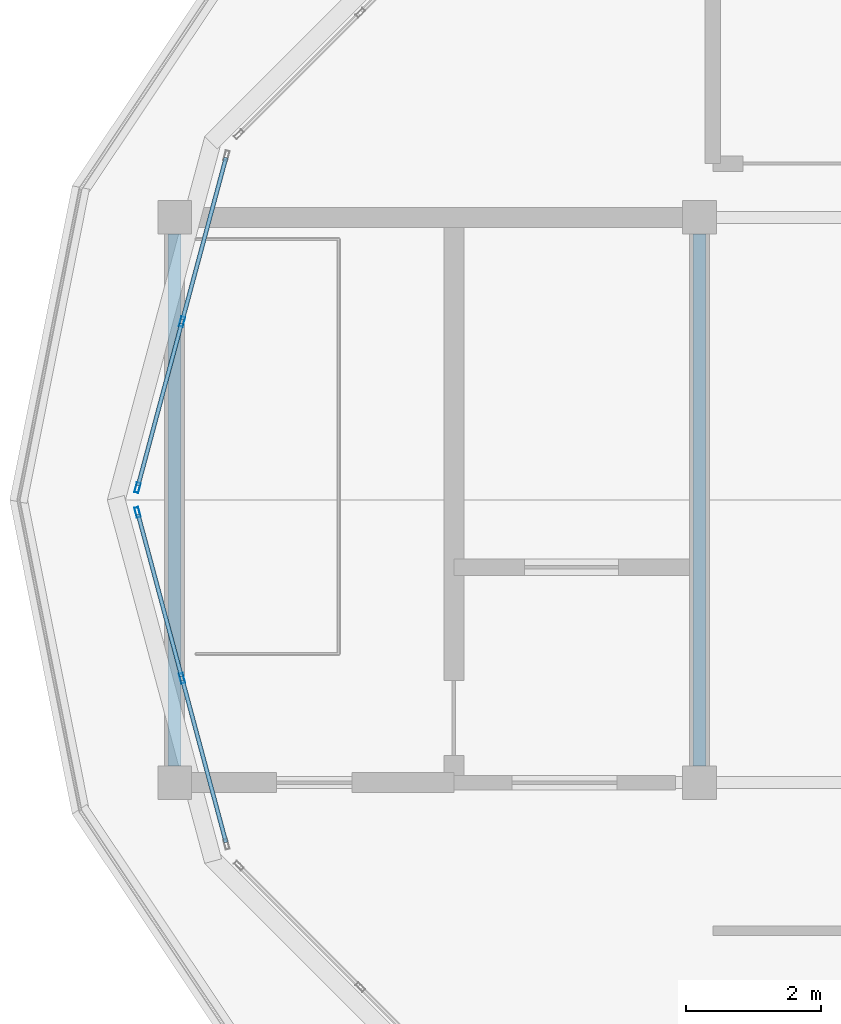
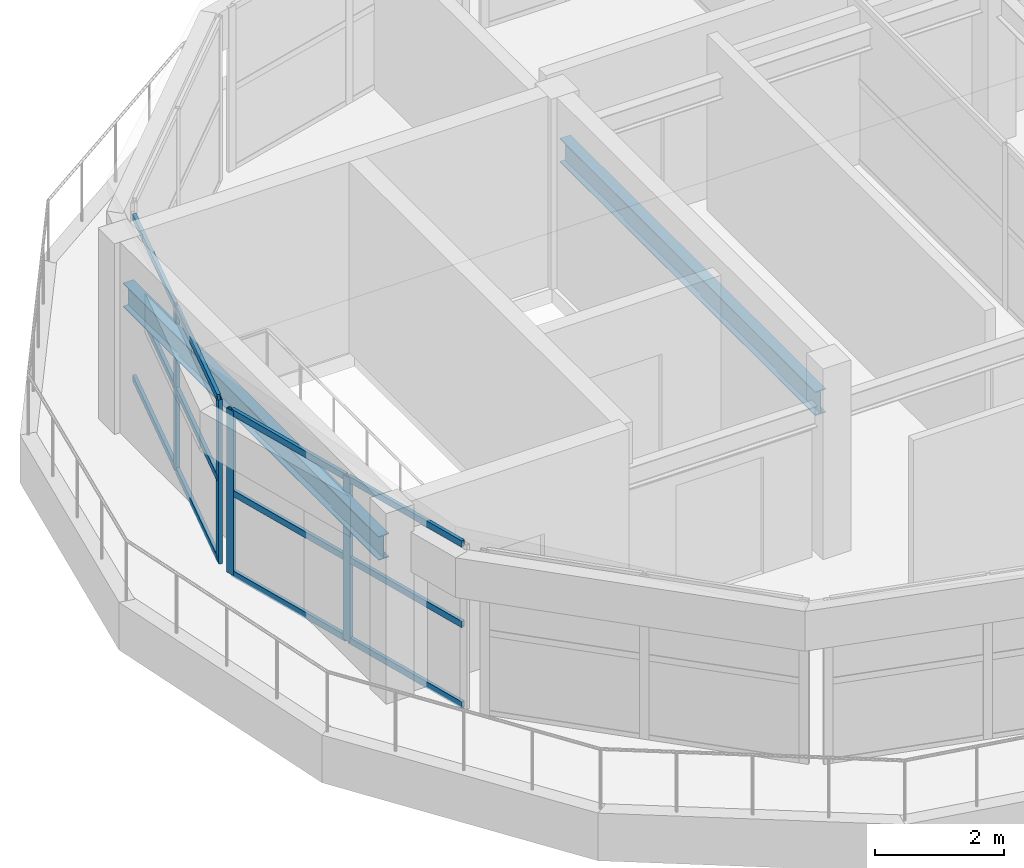
# One storey, part 4 of 15: 16 members, 2 beams, 2 elements without a shape of their own.
"""IFC4 building model written with IfcOpenShell, lengths in metres."""

from ifc_helpers import new_model, si_unit, direction, frame, origin, origin_2d, place, context, subcontext, project, spatial, hollow_rectangle, i_section, extrude, material, layer, layer_set, material_profile, profile_set, type_object, element, aggregate, save


model = new_model("IFC4")

# Units and contexts
model_context = context("Model", 3, precision=1e-05, world=origin(), true_north=direction((0.0, 1.0)))
body_context = subcontext(model_context, "Body", "Model", "MODEL_VIEW")
ifc_project = project(units=[si_unit("LENGTHUNIT", "METRE"), si_unit("AREAUNIT", "SQUARE_METRE"), si_unit("VOLUMEUNIT", "CUBIC_METRE"), si_unit("PLANEANGLEUNIT", "RADIAN"), si_unit("MASSUNIT", "GRAM", prefix="KILO")], contexts=[model_context])

# Site, building, storey
site_placement = place(None, origin())
site = spatial("IfcSite", under=ifc_project, at=site_placement, CompositionType="ELEMENT")
building_placement = place(site_placement, origin())
building = spatial("IfcBuilding", under=site, at=building_placement, Name="Zizhar Promenade General Hospital", CompositionType="ELEMENT")
storey_placement = place(building_placement, frame((0.0, 0.0, 43.199951171875)))
storey = spatial("IfcBuildingStorey", under=building, at=storey_placement, Name="Roof", CompositionType="ELEMENT", Elevation=43.199951171875)

# Beams
ifc_material_1 = material(Name="Steel S355", Category="steel")
ifc_material_profile_1 = material_profile(ifc_material_1, i_section(OverallWidth=0.18994140625, OverallDepth=0.449951171875, WebThickness=0.009521484375, FlangeThickness=0.0146484375, FilletRadius=0.02099609375, at=origin_2d()))
ifc_profile_set_1 = profile_set([ifc_material_profile_1], Name="Steel S355")
beam_type = type_object("IfcBeamType", Name="BM-STL-IPE450", PredefinedType="JOIST", material=ifc_profile_set_1)
for number, where, z_axis, x_axis, name in (
    (1, (46.800048828125, 8.64990234375, 2.5849609375), (0.0, 1.0, 0.0), (-1.0, 0.0, 0.0), "Grid Beam Y Roof (6-1)"),
    (2, (54.60009765625, 8.64990234375, 2.5849609375), (0.0, 1.0, 0.0), (-1.0, 0.0, 0.0), "Grid Beam Y Roof (7-1)"),
):
    element("IfcBeam", number, at=place(storey_placement, frame(where, z_axis=z_axis, x_axis=x_axis)), inside=storey, type_object=beam_type, Name=name, PredefinedType="JOIST", context=body_context, shape_type="SweptSolid", body=[
        extrude(i_section(OverallWidth=0.18994140625, OverallDepth=0.449951171875, WebThickness=0.009521484375, FlangeThickness=0.0146484375, FilletRadius=0.02099609375, at=origin_2d()), origin(), (0.0, 0.0, 1.0), 7.900146484375),
    ])

# Curtain wall, members
ifc_material_2 = material(Name="Anodised aluminium 6063-T6 and low-E glass", Category="aluminium")
ifc_layer = layer(ifc_material_2, 0.159912109375)
ifc_layer_set = layer_set([ifc_layer], Name="Anodised aluminium 6063-T6 and low-E glass")
curtain_wall_type = type_object("IfcCurtainWallType", Name="CW-WARD-ARC", PredefinedType="NOTDEFINED", material=ifc_layer_set)
curtain_wall_1_placement = place(storey_placement, origin())
curtain_wall_1 = element("IfcCurtainWall", 3, at=curtain_wall_1_placement, inside=storey, type_object=curtain_wall_type, Name="Rooftop Pillow Crown Glazing 07", PredefinedType="NOTDEFINED")
ifc_material_3 = material(Name="Anodised aluminium 6063-T6", Category="aluminium")
ifc_material_profile_2 = material_profile(ifc_material_3, hollow_rectangle(XDim=0.06005859375, YDim=0.14990234375, WallThickness=0.00390625, at=origin_2d()))
ifc_profile_set_2 = profile_set([ifc_material_profile_2], Name="Anodised aluminium 6063-T6")
member_type_1 = type_object("IfcMemberType", Name="CWM-ALU-150x60", PredefinedType="MULLION", material=ifc_profile_set_2)
member_1_placement = place(storey_placement, frame((46.249267578125, 12.783447265625, 0.0), z_axis=(0.0, 0.0, 1.0), x_axis=(-0.965927491601, 0.258812829994, 0.0)))
member_1 = element("IfcMember", 4, at=member_1_placement, type_object=member_type_1, Name="CW-12 mullion 1", PredefinedType="MULLION", context=body_context, shape_type="SweptSolid", body=[
    extrude(hollow_rectangle(XDim=0.06005859375, YDim=0.14990234375, WallThickness=0.00390625, at=origin_2d()), origin(), (0.0, 0.0, 1.0), 3.10009765625),
])
member_2_placement = place(storey_placement, frame((46.91015625, 15.25, 0.0), z_axis=(0.0, 0.0, 1.0), x_axis=(-0.965927491601, 0.258812829994, 0.0)))
member_2 = element("IfcMember", 5, at=member_2_placement, type_object=member_type_1, Name="CW-12 mullion 2", PredefinedType="MULLION", context=body_context, shape_type="SweptSolid", body=[
    extrude(hollow_rectangle(XDim=0.06005859375, YDim=0.14990234375, WallThickness=0.00390625, at=origin_2d()), origin(), (0.0, 0.0, 1.0), 3.10009765625),
])

curtain_wall_2_placement = place(storey_placement, origin())
curtain_wall_2 = element("IfcCurtainWall", 6, at=curtain_wall_2_placement, inside=storey, type_object=curtain_wall_type, Name="Rooftop Pillow Crown Glazing 08", PredefinedType="NOTDEFINED")
member_3_placement = place(storey_placement, frame((46.91015625, 9.949951171875, 0.0), z_axis=(0.0, 0.0, 1.0), x_axis=(-0.965927491601, -0.258812829994, 0.0)))
member_3 = element("IfcMember", 7, at=member_3_placement, type_object=member_type_1, Name="CW-12 mullion 2", PredefinedType="MULLION", context=body_context, shape_type="SweptSolid", body=[
    extrude(hollow_rectangle(XDim=0.06005859375, YDim=0.14990234375, WallThickness=0.00390625, at=origin_2d()), origin(), (0.0, 0.0, 1.0), 3.10009765625),
])
member_4_placement = place(storey_placement, frame((46.249267578125, 12.41650390625, 0.0), z_axis=(0.0, 0.0, 1.0), x_axis=(-0.965927491601, -0.258812829994, 0.0)))
member_4 = element("IfcMember", 8, at=member_4_placement, type_object=member_type_1, Name="CW-12 mullion 3", PredefinedType="MULLION", context=body_context, shape_type="SweptSolid", body=[
    extrude(hollow_rectangle(XDim=0.06005859375, YDim=0.14990234375, WallThickness=0.00390625, at=origin_2d()), origin(), (0.0, 0.0, 1.0), 3.10009765625),
])

# Member
ifc_material_4 = material(Name="Anodised aluminium 6063-T6", Category="aluminium")
ifc_material_profile_3 = material_profile(ifc_material_4, hollow_rectangle(XDim=0.06005859375, YDim=0.1201171875, WallThickness=0.00390625, at=origin_2d()))
ifc_profile_set_3 = profile_set([ifc_material_profile_3], Name="Anodised aluminium 6063-T6")
member_type_2 = type_object("IfcMemberType", Name="CWT-ALU-120x60", PredefinedType="USERDEFINED", material=ifc_profile_set_3)
member_5_placement = place(storey_placement, frame((46.2568359375, 12.8125, 0.030029296875), z_axis=(0.258881276315, 0.965909149337, 0.0), x_axis=(-0.965909149337, 0.258881276315, 0.0)))
member_5 = element("IfcMember", 9, at=member_5_placement, type_object=member_type_2, Name="CW-12 transom 1.1", ObjectType="TRANSOM", PredefinedType="USERDEFINED", context=body_context, shape_type="SweptSolid", body=[
    extrude(hollow_rectangle(XDim=0.06005859375, YDim=0.1201171875, WallThickness=0.00390625, at=origin_2d()), origin(), (0.0, 0.0, 1.0), 2.493408203125),
])

member_6_placement = place(storey_placement, frame((46.2568359375, 12.8125, 1.550048828125), z_axis=(0.258881276315, 0.965909149337, 0.0), x_axis=(-0.965909149337, 0.258881276315, 0.0)))
member_6 = element("IfcMember", 10, at=member_6_placement, type_object=member_type_2, Name="CW-12 transom 1.2", ObjectType="TRANSOM", PredefinedType="USERDEFINED", context=body_context, shape_type="SweptSolid", body=[
    extrude(hollow_rectangle(XDim=0.06005859375, YDim=0.1201171875, WallThickness=0.00390625, at=origin_2d()), origin(), (0.0, 0.0, 1.0), 2.493408203125),
])

member_7_placement = place(storey_placement, frame((46.2568359375, 12.8125, 3.070068359375), z_axis=(0.258881276315, 0.965909149337, 0.0), x_axis=(-0.965909149337, 0.258881276315, 0.0)))
member_7 = element("IfcMember", 11, at=member_7_placement, type_object=member_type_2, Name="CW-12 transom 1.3", ObjectType="TRANSOM", PredefinedType="USERDEFINED", context=body_context, shape_type="SweptSolid", body=[
    extrude(hollow_rectangle(XDim=0.06005859375, YDim=0.1201171875, WallThickness=0.00390625, at=origin_2d()), origin(), (0.0, 0.0, 1.0), 2.493408203125),
])

member_8_placement = place(storey_placement, frame((46.917724609375, 15.279052734375, 0.030029296875), z_axis=(0.258881276315, 0.965909149337, 0.0), x_axis=(-0.965909149337, 0.258881276315, 0.0)))
member_8 = element("IfcMember", 12, at=member_8_placement, type_object=member_type_2, Name="CW-12 transom 2.1", ObjectType="TRANSOM", PredefinedType="USERDEFINED", context=body_context, shape_type="SweptSolid", body=[
    extrude(hollow_rectangle(XDim=0.06005859375, YDim=0.1201171875, WallThickness=0.00390625, at=origin_2d()), origin(), (0.0, 0.0, 1.0), 2.493408203125),
])

member_9_placement = place(storey_placement, frame((46.917724609375, 15.279052734375, 1.550048828125), z_axis=(0.258881276315, 0.965909149337, 0.0), x_axis=(-0.965909149337, 0.258881276315, 0.0)))
member_9 = element("IfcMember", 13, at=member_9_placement, type_object=member_type_2, Name="CW-12 transom 2.2", ObjectType="TRANSOM", PredefinedType="USERDEFINED", context=body_context, shape_type="SweptSolid", body=[
    extrude(hollow_rectangle(XDim=0.06005859375, YDim=0.1201171875, WallThickness=0.00390625, at=origin_2d()), origin(), (0.0, 0.0, 1.0), 2.493408203125),
])

member_10_placement = place(storey_placement, frame((46.917724609375, 15.279052734375, 3.070068359375), z_axis=(0.258881276315, 0.965909149337, 0.0), x_axis=(-0.965909149337, 0.258881276315, 0.0)))
member_10 = element("IfcMember", 14, at=member_10_placement, type_object=member_type_2, Name="CW-12 transom 2.3", ObjectType="TRANSOM", PredefinedType="USERDEFINED", context=body_context, shape_type="SweptSolid", body=[
    extrude(hollow_rectangle(XDim=0.06005859375, YDim=0.1201171875, WallThickness=0.00390625, at=origin_2d()), origin(), (0.0, 0.0, 1.0), 2.493408203125),
])

aggregate(curtain_wall_1, [member_1, member_2, member_5, member_6, member_7, member_8, member_9, member_10])

member_11_placement = place(storey_placement, frame((47.563232421875, 7.512451171875, 0.030029296875), z_axis=(-0.2588567949, 0.965915710471, 0.0), x_axis=(-0.965915710471, -0.2588567949, 0.0)))
member_11 = element("IfcMember", 15, at=member_11_placement, type_object=member_type_2, Name="CW-12 transom 1.1", ObjectType="TRANSOM", PredefinedType="USERDEFINED", context=body_context, shape_type="SweptSolid", body=[
    extrude(hollow_rectangle(XDim=0.06005859375, YDim=0.1201171875, WallThickness=0.00390625, at=origin_2d()), origin(), (0.0, 0.0, 1.0), 2.49365234375),
])

member_12_placement = place(storey_placement, frame((47.563232421875, 7.512451171875, 1.550048828125), z_axis=(-0.2588567949, 0.965915710471, 0.0), x_axis=(-0.965915710471, -0.2588567949, 0.0)))
member_12 = element("IfcMember", 16, at=member_12_placement, type_object=member_type_2, Name="CW-12 transom 1.2", ObjectType="TRANSOM", PredefinedType="USERDEFINED", context=body_context, shape_type="SweptSolid", body=[
    extrude(hollow_rectangle(XDim=0.06005859375, YDim=0.1201171875, WallThickness=0.00390625, at=origin_2d()), origin(), (0.0, 0.0, 1.0), 2.49365234375),
])

member_13_placement = place(storey_placement, frame((47.563232421875, 7.512451171875, 3.070068359375), z_axis=(-0.2588567949, 0.965915710471, 0.0), x_axis=(-0.965915710471, -0.2588567949, 0.0)))
member_13 = element("IfcMember", 17, at=member_13_placement, type_object=member_type_2, Name="CW-12 transom 1.3", ObjectType="TRANSOM", PredefinedType="USERDEFINED", context=body_context, shape_type="SweptSolid", body=[
    extrude(hollow_rectangle(XDim=0.06005859375, YDim=0.1201171875, WallThickness=0.00390625, at=origin_2d()), origin(), (0.0, 0.0, 1.0), 2.49365234375),
])

member_14_placement = place(storey_placement, frame((46.90234375, 9.97900390625, 0.030029296875), z_axis=(-0.258881276315, 0.965909149337, 0.0), x_axis=(-0.965909149337, -0.258881276315, 0.0)))
member_14 = element("IfcMember", 18, at=member_14_placement, type_object=member_type_2, Name="CW-12 transom 2.1", ObjectType="TRANSOM", PredefinedType="USERDEFINED", context=body_context, shape_type="SweptSolid", body=[
    extrude(hollow_rectangle(XDim=0.06005859375, YDim=0.1201171875, WallThickness=0.00390625, at=origin_2d()), origin(), (0.0, 0.0, 1.0), 2.493408203125),
])

member_15_placement = place(storey_placement, frame((46.90234375, 9.97900390625, 1.550048828125), z_axis=(-0.258881276315, 0.965909149337, 0.0), x_axis=(-0.965909149337, -0.258881276315, 0.0)))
member_15 = element("IfcMember", 19, at=member_15_placement, type_object=member_type_2, Name="CW-12 transom 2.2", ObjectType="TRANSOM", PredefinedType="USERDEFINED", context=body_context, shape_type="SweptSolid", body=[
    extrude(hollow_rectangle(XDim=0.06005859375, YDim=0.1201171875, WallThickness=0.00390625, at=origin_2d()), origin(), (0.0, 0.0, 1.0), 2.493408203125),
])

member_16_placement = place(storey_placement, frame((46.90234375, 9.97900390625, 3.070068359375), z_axis=(-0.258881276315, 0.965909149337, 0.0), x_axis=(-0.965909149337, -0.258881276315, 0.0)))
member_16 = element("IfcMember", 20, at=member_16_placement, type_object=member_type_2, Name="CW-12 transom 2.3", ObjectType="TRANSOM", PredefinedType="USERDEFINED", context=body_context, shape_type="SweptSolid", body=[
    extrude(hollow_rectangle(XDim=0.06005859375, YDim=0.1201171875, WallThickness=0.00390625, at=origin_2d()), origin(), (0.0, 0.0, 1.0), 2.493408203125),
])

aggregate(curtain_wall_2, [member_3, member_4, member_11, member_12, member_13, member_14, member_15, member_16])

save(model, "model.ifc")
